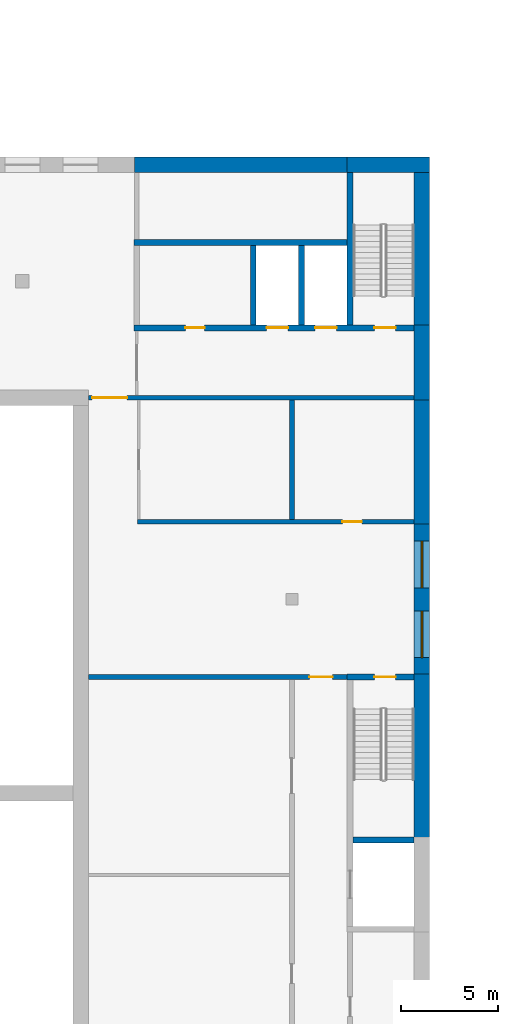
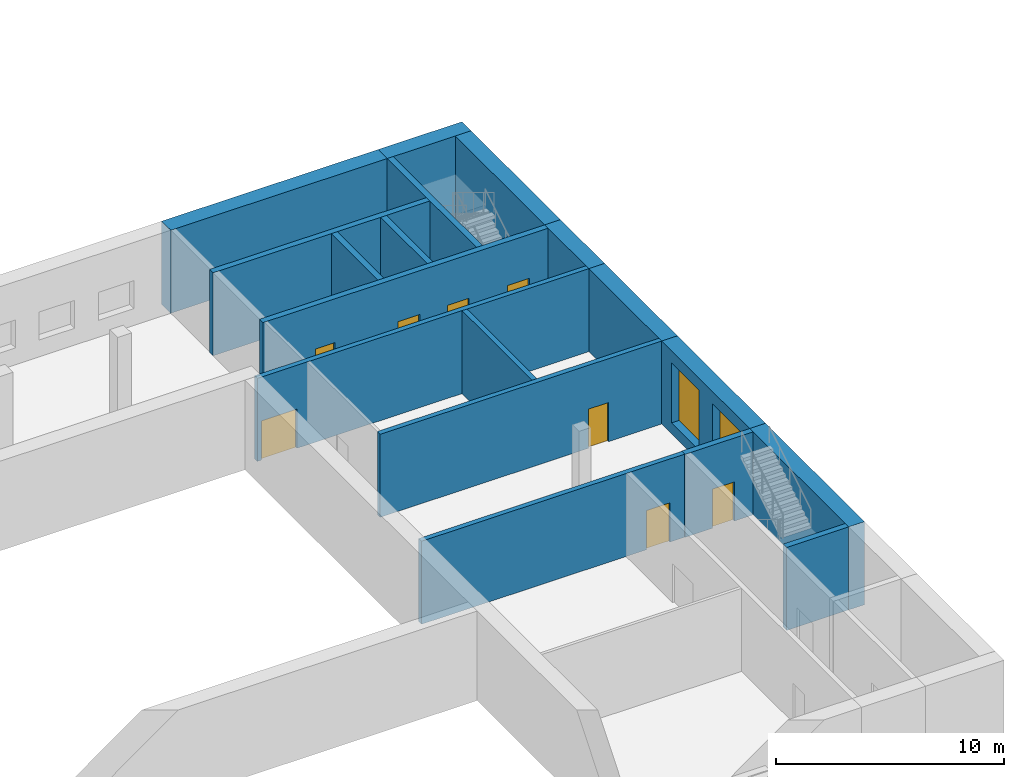
# One storey, part 5 of 23: 18 walls, 8 doors, 2 windows, 10 openings.
"""IFC4 building model written with IfcOpenShell, lengths in metres."""

from ifc_helpers import new_model, si_unit, direction, frame, frame_2d, origin, place, context, subcontext, project, spatial, rectangle, extrude, material, layer, layer_set, type_object, element, fill, save


model = new_model("IFC4")

# Units and contexts
model_context = context("Model", 3, precision=1e-05, world=origin(), true_north=direction((0.0, 1.0)))
body_context = subcontext(model_context, "Body", "Model", "MODEL_VIEW")
ifc_project = project(units=[si_unit("LENGTHUNIT", "METRE"), si_unit("AREAUNIT", "SQUARE_METRE"), si_unit("VOLUMEUNIT", "CUBIC_METRE"), si_unit("PLANEANGLEUNIT", "RADIAN"), si_unit("MASSUNIT", "GRAM", prefix="KILO")], contexts=[model_context])

# Site, building, storey
site_placement = place(None, origin())
site = spatial("IfcSite", under=ifc_project, at=site_placement, CompositionType="ELEMENT")
building_placement = place(site_placement, origin())
building = spatial("IfcBuilding", under=site, at=building_placement, Name="Kiln Ring Residences", CompositionType="ELEMENT")
storey_placement = place(building_placement, frame((0.0, 0.0, 16.10009765625)))
storey = spatial("IfcBuildingStorey", under=building, at=storey_placement, Name="L03", CompositionType="ELEMENT", Elevation=16.10009765625)

# Walls
ifc_material_1 = material(Name="Concrete C40/50", Category="concrete")
ifc_layer_1 = layer(ifc_material_1, 0.800048828125)
ifc_layer_set_1 = layer_set([ifc_layer_1], Name="Hall Exposed brick-faced reinforced concrete C40/50 wall 800")
wall_type_1 = type_object("IfcWallType", Name="Hall Exposed brick-faced reinforced concrete C40/50 wall 800", PredefinedType="SOLIDWALL", material=ifc_layer_set_1)
wall_1_placement = place(storey_placement, frame((14.775146484375, -112.800048828125, 0.0), z_axis=(0.0, 0.0, 1.0), x_axis=(1.0, 0.0, 0.0)))
element("IfcWall", 1, at=wall_1_placement, inside=storey, type_object=wall_type_1, Name="Hall wall L03 29", PredefinedType="SOLIDWALL", context=body_context, shape_type="SweptSolid", body=[
    extrude(rectangle(XDim=11.274658203125, YDim=0.800048828125, at=frame_2d((5.63720703125, 0.0))), origin(), (0.0, 0.0, 1.0), 4.449951171875),
])
wall_2_placement = place(storey_placement, frame((25.75, -112.800048828125, 0.0), z_axis=(0.0, 0.0, 1.0), x_axis=(1.0, 0.0, 0.0)))
element("IfcWall", 2, at=wall_2_placement, inside=storey, type_object=wall_type_1, Name="Hall wall L03 30", PredefinedType="SOLIDWALL", context=body_context, shape_type="SweptSolid", body=[
    extrude(rectangle(XDim=4.25, YDim=0.800048828125, at=frame_2d((2.125, 0.0))), origin(), (0.0, 0.0, 1.0), 4.449951171875),
])
wall_3_placement = place(storey_placement, frame((29.60009765625, -139.050048828125, 0.0), z_axis=(0.0, 0.0, 1.0), x_axis=(0.0, -1.0, 0.0)))
element("IfcWall", 3, at=wall_3_placement, inside=storey, type_object=wall_type_1, Name="Hall wall L03 64", PredefinedType="SOLIDWALL", context=body_context, shape_type="SweptSolid", body=[
    extrude(rectangle(XDim=8.699951171875, YDim=0.800048828125, at=frame_2d((4.35009765625, 0.0))), origin(), (0.0, 0.0, 1.0), 4.449951171875),
])

# Wall, openings, windows
wall_4_placement = place(storey_placement, frame((29.60009765625, -131.0751953125, 0.0), z_axis=(0.0, 0.0, 1.0), x_axis=(0.0, -1.0, 0.0)))
wall_4 = element("IfcWall", 4, at=wall_4_placement, inside=storey, type_object=wall_type_1, Name="Hall wall L03 65", PredefinedType="SOLIDWALL", context=body_context, shape_type="SweptSolid", body=[
    extrude(rectangle(XDim=8.274658203125, YDim=0.800048828125, at=frame_2d((4.13720703125, 0.0))), origin(), (0.0, 0.0, 1.0), 4.449951171875),
])
opening_1_placement = place(wall_4_placement, frame((4.724853515625, 0.0, 0.60009765625)))
opening_1 = element("IfcOpeningElement", 5, at=opening_1_placement, cuts=wall_4, Name="Opening WL03-12", PredefinedType="OPENING", context=body_context, shape_type="SweptSolid", body=[
    extrude(rectangle(XDim=2.39990234375, YDim=3.199951171875, at=frame_2d((1.199951171875, 1.60009765625))), frame((0.0, 0.409912109375, 0.0), z_axis=(0.0, -1.0, 0.0), x_axis=(1.0, 0.0, 0.0)), (0.0, 0.0, 1.0), 0.820068359375),
])
opening_2_placement = place(wall_4_placement, frame((1.125, 0.0, 0.60009765625)))
opening_2 = element("IfcOpeningElement", 6, at=opening_2_placement, cuts=wall_4, Name="Opening WL03-13", PredefinedType="OPENING", context=body_context, shape_type="SweptSolid", body=[
    extrude(rectangle(XDim=2.39990234375, YDim=3.199951171875, at=frame_2d((1.199951171875, 1.60009765625))), frame((0.0, 0.409912109375, 0.0), z_axis=(0.0, -1.0, 0.0), x_axis=(1.0, 0.0, 0.0)), (0.0, 0.0, 1.0), 0.820068359375),
])
ifc_material_2 = material(Name="Glazing in aluminium frame", Category="aluminium")
window_type = type_object("IfcWindowType", Name="Hall foyer window 2400 x 3200", PartitioningType="SINGLE_PANEL", PredefinedType="WINDOW", material=ifc_material_2)
window_1_placement = place(opening_1_placement, origin())
window_1 = element("IfcWindow", 7, at=window_1_placement, inside=storey, type_object=window_type, Name="Hall window L03-12", OverallHeight=3.199951171875, OverallWidth=2.39990234375, PartitioningType="SINGLE_PANEL", PredefinedType="WINDOW", context=body_context, shape_type="SweptSolid", body=[
    extrude(rectangle(XDim=2.39990234375, YDim=3.199951171875, at=frame_2d((1.199951171875, 1.60009765625))), frame((0.0, 0.030029296875, 0.0), z_axis=(0.0, -1.0, 0.0), x_axis=(1.0, 0.0, 0.0)), (0.0, 0.0, 1.0), 0.06005859375),
])
fill(opening_1, window_1)
window_2_placement = place(opening_2_placement, origin())
window_2 = element("IfcWindow", 8, at=window_2_placement, inside=storey, type_object=window_type, Name="Hall window L03-13", OverallHeight=3.199951171875, OverallWidth=2.39990234375, PartitioningType="SINGLE_PANEL", PredefinedType="WINDOW", context=body_context, shape_type="SweptSolid", body=[
    extrude(rectangle(XDim=2.39990234375, YDim=3.199951171875, at=frame_2d((1.199951171875, 1.60009765625))), frame((0.0, 0.030029296875, 0.0), z_axis=(0.0, -1.0, 0.0), x_axis=(1.0, 0.0, 0.0)), (0.0, 0.0, 1.0), 0.06005859375),
])
fill(opening_2, window_2)

# Walls
wall_5_placement = place(storey_placement, frame((29.60009765625, -124.675048828125, 0.0), z_axis=(0.0, 0.0, 1.0), x_axis=(0.0, -1.0, 0.0)))
element("IfcWall", 9, at=wall_5_placement, inside=storey, type_object=wall_type_1, Name="Hall wall L03 66", PredefinedType="SOLIDWALL", context=body_context, shape_type="SweptSolid", body=[
    extrude(rectangle(XDim=6.64990234375, YDim=0.800048828125, at=frame_2d((3.324951171875, 0.0))), origin(), (0.0, 0.0, 1.0), 4.449951171875),
])
wall_6_placement = place(storey_placement, frame((29.60009765625, -121.050048828125, 0.0), z_axis=(0.0, 0.0, 1.0), x_axis=(0.0, -1.0, 0.0)))
element("IfcWall", 10, at=wall_6_placement, inside=storey, type_object=wall_type_1, Name="Hall wall L03 67", PredefinedType="SOLIDWALL", context=body_context, shape_type="SweptSolid", body=[
    extrude(rectangle(XDim=3.874755859375, YDim=0.800048828125, at=frame_2d((1.9375, 0.0))), origin(), (0.0, 0.0, 1.0), 4.449951171875),
])
wall_7_placement = place(storey_placement, frame((29.60009765625, -113.199951171875, 0.0), z_axis=(0.0, 0.0, 1.0), x_axis=(0.0, -1.0, 0.0)))
element("IfcWall", 11, at=wall_7_placement, inside=storey, type_object=wall_type_1, Name="Hall wall L03 68", PredefinedType="SOLIDWALL", context=body_context, shape_type="SweptSolid", body=[
    extrude(rectangle(XDim=8.14990234375, YDim=0.800048828125, at=frame_2d((4.074951171875, 0.0))), origin(), (0.0, 0.0, 1.0), 4.449951171875),
])
ifc_material_3 = material(Name="Concrete C40/50", Category="concrete")
ifc_layer_2 = layer(ifc_material_3, 0.300048828125)
ifc_layer_set_2 = layer_set([ifc_layer_2], Name="Hall Reinforced concrete C40/50 core wall 300")
wall_type_2 = type_object("IfcWallType", Name="Hall Reinforced concrete C40/50 core wall 300", PredefinedType="SOLIDWALL", material=ifc_layer_set_2)
wall_8_placement = place(storey_placement, frame((26.050048828125, -147.60009765625, 0.0), z_axis=(0.0, 0.0, 1.0), x_axis=(1.0, 0.0, 0.0)))
element("IfcWall", 12, at=wall_8_placement, inside=storey, type_object=wall_type_2, Name="Hall wall L03 11", PredefinedType="SOLIDWALL", context=body_context, shape_type="SweptSolid", body=[
    extrude(rectangle(XDim=3.14990234375, YDim=0.300048828125, at=frame_2d((1.574951171875, 0.0))), origin(), (0.0, 0.0, 1.0), 4.449951171875),
])

# Wall, opening, door
wall_9_placement = place(storey_placement, frame((25.75, -139.199951171875, 0.0), z_axis=(0.0, 0.0, 1.0), x_axis=(1.0, 0.0, 0.0)))
wall_9 = element("IfcWall", 13, at=wall_9_placement, inside=storey, type_object=wall_type_2, Name="Hall wall L03 16", PredefinedType="SOLIDWALL", context=body_context, shape_type="SweptSolid", body=[
    extrude(rectangle(XDim=3.449951171875, YDim=0.300048828125, at=frame_2d((1.72509765625, 0.0))), origin(), (0.0, 0.0, 1.0), 4.449951171875),
])
opening_3_placement = place(wall_9_placement, frame((1.39990234375, 0.0, 0.0)))
opening_3 = element("IfcOpeningElement", 14, at=opening_3_placement, cuts=wall_9, Name="Opening L03-09", PredefinedType="OPENING", context=body_context, shape_type="SweptSolid", body=[
    extrude(rectangle(XDim=1.10009765625, YDim=2.10009765625, at=frame_2d((0.550048828125, 1.050048828125))), frame((0.0, 0.159912109375, 0.0), z_axis=(0.0, -1.0, 0.0), x_axis=(1.0, 0.0, 0.0)), (0.0, 0.0, 1.0), 0.320068359375),
])
ifc_material_4 = material(Name="Steel door leaf", Category="steel")
door_type_1 = type_object("IfcDoorType", Name="Hall Stair door 1100 x 2100", OperationType="SINGLE_SWING_LEFT", PredefinedType="DOOR", material=ifc_material_4)
door_1_placement = place(opening_3_placement, origin())
door_1 = element("IfcDoor", 15, at=door_1_placement, inside=storey, type_object=door_type_1, Name="Hall door L03-09", OperationType="SINGLE_SWING_LEFT", OverallHeight=2.10009765625, OverallWidth=1.10009765625, PredefinedType="DOOR", context=body_context, shape_type="SweptSolid", body=[
    extrude(rectangle(XDim=1.10009765625, YDim=2.10009765625, at=frame_2d((0.550048828125, 1.050048828125))), frame((0.0, 0.02490234375, 0.0), z_axis=(0.0, -1.0, 0.0), x_axis=(1.0, 0.0, 0.0)), (0.0, 0.0, 1.0), 0.050048828125),
])
fill(opening_3, door_1)

# Wall, openings, doors
wall_10_placement = place(storey_placement, frame((14.75, -121.199951171875, 0.0), z_axis=(0.0, 0.0, 1.0), x_axis=(1.0, 0.0, 0.0)))
wall_10 = element("IfcWall", 16, at=wall_10_placement, inside=storey, type_object=wall_type_2, Name="Hall wall L03 23", PredefinedType="SOLIDWALL", context=body_context, shape_type="SweptSolid", body=[
    extrude(rectangle(XDim=14.449951171875, YDim=0.300048828125, at=frame_2d((7.22509765625, 0.0))), origin(), (0.0, 0.0, 1.0), 4.449951171875),
])
opening_4_placement = place(wall_10_placement, frame((6.85009765625, 0.0, 0.0)))
opening_4 = element("IfcOpeningElement", 17, at=opening_4_placement, cuts=wall_10, Name="Opening L03-03", PredefinedType="OPENING", context=body_context, shape_type="SweptSolid", body=[
    extrude(rectangle(XDim=1.10009765625, YDim=2.10009765625, at=frame_2d((0.550048828125, 1.050048828125))), frame((0.0, 0.159912109375, 0.0), z_axis=(0.0, -1.0, 0.0), x_axis=(1.0, 0.0, 0.0)), (0.0, 0.0, 1.0), 0.320068359375),
])
opening_5_placement = place(wall_10_placement, frame((9.35009765625, 0.0, 0.0)))
opening_5 = element("IfcOpeningElement", 18, at=opening_5_placement, cuts=wall_10, Name="Opening L03-04", PredefinedType="OPENING", context=body_context, shape_type="SweptSolid", body=[
    extrude(rectangle(XDim=1.10009765625, YDim=2.10009765625, at=frame_2d((0.550048828125, 1.050048828125))), frame((0.0, 0.159912109375, 0.0), z_axis=(0.0, -1.0, 0.0), x_axis=(1.0, 0.0, 0.0)), (0.0, 0.0, 1.0), 0.320068359375),
])
opening_6_placement = place(wall_10_placement, frame((12.39990234375, 0.0, 0.0)))
opening_6 = element("IfcOpeningElement", 19, at=opening_6_placement, cuts=wall_10, Name="Opening L03-07", PredefinedType="OPENING", context=body_context, shape_type="SweptSolid", body=[
    extrude(rectangle(XDim=1.10009765625, YDim=2.10009765625, at=frame_2d((0.550048828125, 1.050048828125))), frame((0.0, 0.159912109375, 0.0), z_axis=(0.0, -1.0, 0.0), x_axis=(1.0, 0.0, 0.0)), (0.0, 0.0, 1.0), 0.320068359375),
])
opening_7_placement = place(wall_10_placement, frame((2.64990234375, 0.0, 0.0)))
opening_7 = element("IfcOpeningElement", 20, at=opening_7_placement, cuts=wall_10, Name="Opening L03-11", PredefinedType="OPENING", context=body_context, shape_type="SweptSolid", body=[
    extrude(rectangle(XDim=1.0, YDim=2.10009765625, at=frame_2d((0.5, 1.050048828125))), frame((0.0, 0.159912109375, 0.0), z_axis=(0.0, -1.0, 0.0), x_axis=(1.0, 0.0, 0.0)), (0.0, 0.0, 1.0), 0.320068359375),
])
ifc_material_5 = material(Name="Steel door leaf", Category="steel")
door_type_2 = type_object("IfcDoorType", Name="Hall Lift landing door 1100 x 2100", OperationType="DOUBLE_DOOR_SLIDING", PredefinedType="DOOR", material=ifc_material_5)
door_2_placement = place(opening_4_placement, origin())
door_2 = element("IfcDoor", 21, at=door_2_placement, inside=storey, type_object=door_type_2, Name="Hall door L03-03", OperationType="DOUBLE_DOOR_SLIDING", OverallHeight=2.10009765625, OverallWidth=1.10009765625, PredefinedType="DOOR", context=body_context, shape_type="SweptSolid", body=[
    extrude(rectangle(XDim=1.10009765625, YDim=2.10009765625, at=frame_2d((0.550048828125, 1.050048828125))), frame((0.0, 0.02490234375, 0.0), z_axis=(0.0, -1.0, 0.0), x_axis=(1.0, 0.0, 0.0)), (0.0, 0.0, 1.0), 0.050048828125),
])
fill(opening_4, door_2)
door_3_placement = place(opening_5_placement, origin())
door_3 = element("IfcDoor", 22, at=door_3_placement, inside=storey, type_object=door_type_2, Name="Hall door L03-04", OperationType="DOUBLE_DOOR_SLIDING", OverallHeight=2.10009765625, OverallWidth=1.10009765625, PredefinedType="DOOR", context=body_context, shape_type="SweptSolid", body=[
    extrude(rectangle(XDim=1.10009765625, YDim=2.10009765625, at=frame_2d((0.550048828125, 1.050048828125))), frame((0.0, 0.02490234375, 0.0), z_axis=(0.0, -1.0, 0.0), x_axis=(1.0, 0.0, 0.0)), (0.0, 0.0, 1.0), 0.050048828125),
])
fill(opening_5, door_3)
ifc_material_6 = material(Name="Steel door leaf", Category="steel")
door_type_3 = type_object("IfcDoorType", Name="Hall Single door 1000 x 2100", OperationType="SINGLE_SWING_LEFT", PredefinedType="DOOR", material=ifc_material_6)
door_4_placement = place(opening_7_placement, origin())
door_4 = element("IfcDoor", 23, at=door_4_placement, inside=storey, type_object=door_type_3, Name="Hall door L03-11", OperationType="SINGLE_SWING_LEFT", OverallHeight=2.10009765625, OverallWidth=1.0, PredefinedType="DOOR", context=body_context, shape_type="SweptSolid", body=[
    extrude(rectangle(XDim=1.0, YDim=2.10009765625, at=frame_2d((0.5, 1.050048828125))), frame((0.0, 0.02490234375, 0.0), z_axis=(0.0, -1.0, 0.0), x_axis=(1.0, 0.0, 0.0)), (0.0, 0.0, 1.0), 0.050048828125),
])
fill(opening_7, door_4)
door_5_placement = place(opening_6_placement, origin())
door_5 = element("IfcDoor", 24, at=door_5_placement, inside=storey, type_object=door_type_1, Name="Hall door L03-07", OperationType="SINGLE_SWING_LEFT", OverallHeight=2.10009765625, OverallWidth=1.10009765625, PredefinedType="DOOR", context=body_context, shape_type="SweptSolid", body=[
    extrude(rectangle(XDim=1.10009765625, YDim=2.10009765625, at=frame_2d((0.550048828125, 1.050048828125))), frame((0.0, 0.02490234375, 0.0), z_axis=(0.0, -1.0, 0.0), x_axis=(1.0, 0.0, 0.0)), (0.0, 0.0, 1.0), 0.050048828125),
])
fill(opening_6, door_5)

# Walls
wall_11_placement = place(storey_placement, frame((14.75, -116.800048828125, 0.0), z_axis=(0.0, 0.0, 1.0), x_axis=(1.0, 0.0, 0.0)))
element("IfcWall", 25, at=wall_11_placement, inside=storey, type_object=wall_type_2, Name="Hall wall L03 25", PredefinedType="SOLIDWALL", context=body_context, shape_type="SweptSolid", body=[
    extrude(rectangle(XDim=11.0, YDim=0.300048828125, at=frame_2d((5.5, 0.0))), origin(), (0.0, 0.0, 1.0), 4.449951171875),
])
for number, where, z_axis, x_axis, name in (
    (26, (20.89990234375, -121.050048828125, 0.0), (0.0, 0.0, 1.0), (0.0, 1.0, 0.0), "Hall wall L03 55"),
    (27, (23.39990234375, -121.050048828125, 0.0), (0.0, 0.0, 1.0), (0.0, 1.0, 0.0), "Hall wall L03 58"),
):
    element("IfcWall", number, at=place(storey_placement, frame(where, z_axis=z_axis, x_axis=x_axis)), inside=storey, type_object=wall_type_2, Name=name, PredefinedType="SOLIDWALL", context=body_context, shape_type="SweptSolid", body=[
        extrude(rectangle(XDim=4.10009765625, YDim=0.300048828125, at=frame_2d((2.050048828125, 0.0))), origin(), (0.0, 0.0, 1.0), 4.449951171875),
    ])
wall_12_placement = place(storey_placement, frame((25.89990234375, -121.050048828125, 0.0), z_axis=(0.0, 0.0, 1.0), x_axis=(0.0, 1.0, 0.0)))
element("IfcWall", 28, at=wall_12_placement, inside=storey, type_object=wall_type_2, Name="Hall wall L03 61", PredefinedType="SOLIDWALL", context=body_context, shape_type="SweptSolid", body=[
    extrude(rectangle(XDim=7.85009765625, YDim=0.300048828125, at=frame_2d((3.925048828125, 0.0))), origin(), (0.0, 0.0, 1.0), 4.449951171875),
])

# Wall, opening, door
ifc_material_7 = material(Name="Concrete C40/50", Category="concrete")
ifc_layer_3 = layer(ifc_material_7, 0.25)
ifc_layer_set_3 = layer_set([ifc_layer_3], Name="Hall Reinforced concrete C40/50 wall 250")
wall_type_3 = type_object("IfcWallType", Name="Hall Reinforced concrete C40/50 wall 250", PredefinedType="SOLIDWALL", material=ifc_layer_set_3)
wall_13_placement = place(storey_placement, frame((12.39990234375, -139.199951171875, 0.0), z_axis=(0.0, 0.0, 1.0), x_axis=(1.0, 0.0, 0.0)))
wall_13 = element("IfcWall", 29, at=wall_13_placement, inside=storey, type_object=wall_type_3, Name="Hall wall L03 15", PredefinedType="SOLIDWALL", context=body_context, shape_type="SweptSolid", body=[
    extrude(rectangle(XDim=13.35009765625, YDim=0.25, at=frame_2d((6.675048828125, 0.0))), origin(), (0.0, 0.0, 1.0), 4.449951171875),
])
opening_8_placement = place(wall_13_placement, frame((11.39990234375, 0.0, 0.0)))
opening_8 = element("IfcOpeningElement", 30, at=opening_8_placement, cuts=wall_13, Name="Opening L03-20", PredefinedType="OPENING", context=body_context, shape_type="SweptSolid", body=[
    extrude(rectangle(XDim=1.199951171875, YDim=2.10009765625, at=frame_2d((0.60009765625, 1.050048828125))), frame((0.0, 0.135009765625, 0.0), z_axis=(0.0, -1.0, 0.0), x_axis=(1.0, 0.0, 0.0)), (0.0, 0.0, 1.0), 0.27001953125),
])
ifc_material_8 = material(Name="Steel door leaf", Category="steel")
door_type_4 = type_object("IfcDoorType", Name="Hall Single door 1200 x 2100", OperationType="SINGLE_SWING_LEFT", PredefinedType="DOOR", material=ifc_material_8)
door_6_placement = place(opening_8_placement, origin())
door_6 = element("IfcDoor", 31, at=door_6_placement, inside=storey, type_object=door_type_4, Name="Hall door L03-20", OperationType="SINGLE_SWING_RIGHT", OverallHeight=2.10009765625, OverallWidth=1.199951171875, PredefinedType="DOOR", context=body_context, shape_type="SweptSolid", body=[
    extrude(rectangle(XDim=1.199951171875, YDim=2.10009765625, at=frame_2d((0.60009765625, 1.050048828125))), frame((0.0, 0.02490234375, 0.0), z_axis=(0.0, -1.0, 0.0), x_axis=(1.0, 0.0, 0.0)), (0.0, 0.0, 1.0), 0.050048828125),
])
fill(opening_8, door_6)

wall_14_placement = place(storey_placement, frame((14.925048828125, -131.199951171875, 0.0), z_axis=(0.0, 0.0, 1.0), x_axis=(1.0, 0.0, 0.0)))
wall_14 = element("IfcWall", 32, at=wall_14_placement, inside=storey, type_object=wall_type_3, Name="Hall wall L03 18", PredefinedType="SOLIDWALL", context=body_context, shape_type="SweptSolid", body=[
    extrude(rectangle(XDim=14.27490234375, YDim=0.25, at=frame_2d((7.137451171875, 0.0))), origin(), (0.0, 0.0, 1.0), 4.449951171875),
])
opening_9_placement = place(wall_14_placement, frame((10.574951171875, 0.0, 0.0)))
opening_9 = element("IfcOpeningElement", 33, at=opening_9_placement, cuts=wall_14, Name="Opening L03-27", PredefinedType="OPENING", context=body_context, shape_type="SweptSolid", body=[
    extrude(rectangle(XDim=1.0, YDim=2.10009765625, at=frame_2d((0.5, 1.050048828125))), frame((0.0, 0.135009765625, 0.0), z_axis=(0.0, -1.0, 0.0), x_axis=(1.0, 0.0, 0.0)), (0.0, 0.0, 1.0), 0.27001953125),
])
door_7_placement = place(opening_9_placement, origin())
door_7 = element("IfcDoor", 34, at=door_7_placement, inside=storey, type_object=door_type_3, Name="Hall door L03-27", OperationType="SINGLE_SWING_LEFT", OverallHeight=2.10009765625, OverallWidth=1.0, PredefinedType="DOOR", context=body_context, shape_type="SweptSolid", body=[
    extrude(rectangle(XDim=1.0, YDim=2.10009765625, at=frame_2d((0.5, 1.050048828125))), frame((0.0, 0.02490234375, 0.0), z_axis=(0.0, -1.0, 0.0), x_axis=(1.0, 0.0, 0.0)), (0.0, 0.0, 1.0), 0.050048828125),
])
fill(opening_9, door_7)

wall_15_placement = place(storey_placement, frame((12.39990234375, -124.800048828125, 0.0), z_axis=(0.0, 0.0, 1.0), x_axis=(1.0, 0.0, 0.0)))
wall_15 = element("IfcWall", 35, at=wall_15_placement, inside=storey, type_object=wall_type_3, Name="Hall wall L03 21", PredefinedType="SOLIDWALL", context=body_context, shape_type="SweptSolid", body=[
    extrude(rectangle(XDim=16.800048828125, YDim=0.25, at=frame_2d((8.39990234375, 0.0))), origin(), (0.0, 0.0, 1.0), 4.449951171875),
])
opening_10_placement = place(wall_15_placement, frame((0.199951171875, 0.0, 0.0)))
opening_10 = element("IfcOpeningElement", 36, at=opening_10_placement, cuts=wall_15, Name="Opening L03-15", PredefinedType="OPENING", context=body_context, shape_type="SweptSolid", body=[
    extrude(rectangle(XDim=1.800048828125, YDim=2.10009765625, at=frame_2d((0.89990234375, 1.050048828125))), frame((0.0, 0.135009765625, 0.0), z_axis=(0.0, -1.0, 0.0), x_axis=(1.0, 0.0, 0.0)), (0.0, 0.0, 1.0), 0.27001953125),
])
ifc_material_9 = material(Name="Steel door leaf", Category="steel")
door_type_5 = type_object("IfcDoorType", Name="Hall Double door 1800 x 2100", OperationType="DOUBLE_DOOR_SINGLE_SWING", PredefinedType="DOOR", material=ifc_material_9)
door_8_placement = place(opening_10_placement, origin())
door_8 = element("IfcDoor", 37, at=door_8_placement, inside=storey, type_object=door_type_5, Name="Hall door L03-15", OperationType="DOUBLE_DOOR_SINGLE_SWING", OverallHeight=2.10009765625, OverallWidth=1.800048828125, PredefinedType="DOOR", context=body_context, shape_type="SweptSolid", body=[
    extrude(rectangle(XDim=1.800048828125, YDim=2.10009765625, at=frame_2d((0.89990234375, 1.050048828125))), frame((0.0, 0.02490234375, 0.0), z_axis=(0.0, -1.0, 0.0), x_axis=(1.0, 0.0, 0.0)), (0.0, 0.0, 1.0), 0.050048828125),
])
fill(opening_10, door_8)

# Wall
wall_16_placement = place(storey_placement, frame((22.89990234375, -131.074951171875, 0.0), z_axis=(0.0, 0.0, 1.0), x_axis=(0.0, 1.0, 0.0)))
element("IfcWall", 38, at=wall_16_placement, inside=storey, type_object=wall_type_3, Name="Hall wall L03 57", PredefinedType="SOLIDWALL", context=body_context, shape_type="SweptSolid", body=[
    extrude(rectangle(XDim=6.14990234375, YDim=0.25, at=frame_2d((3.074951171875, 0.0))), origin(), (0.0, 0.0, 1.0), 4.449951171875),
])

save(model, "model.ifc")
